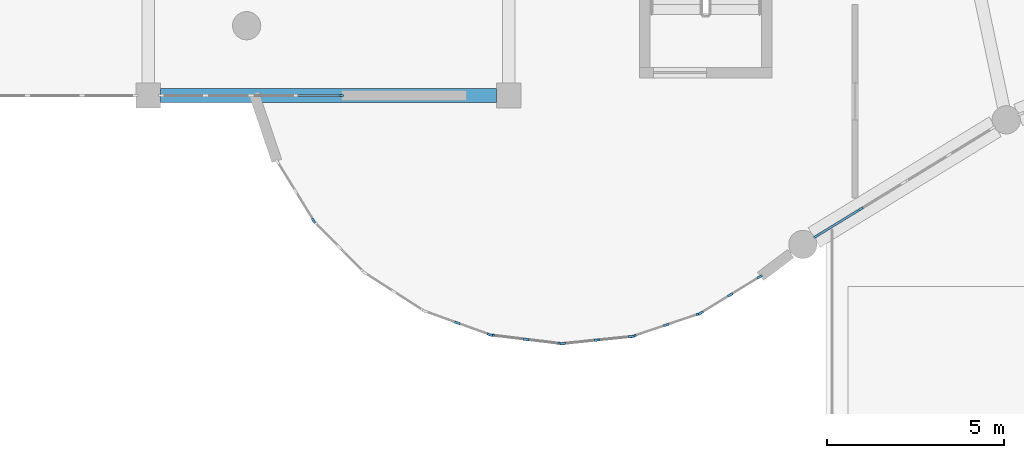
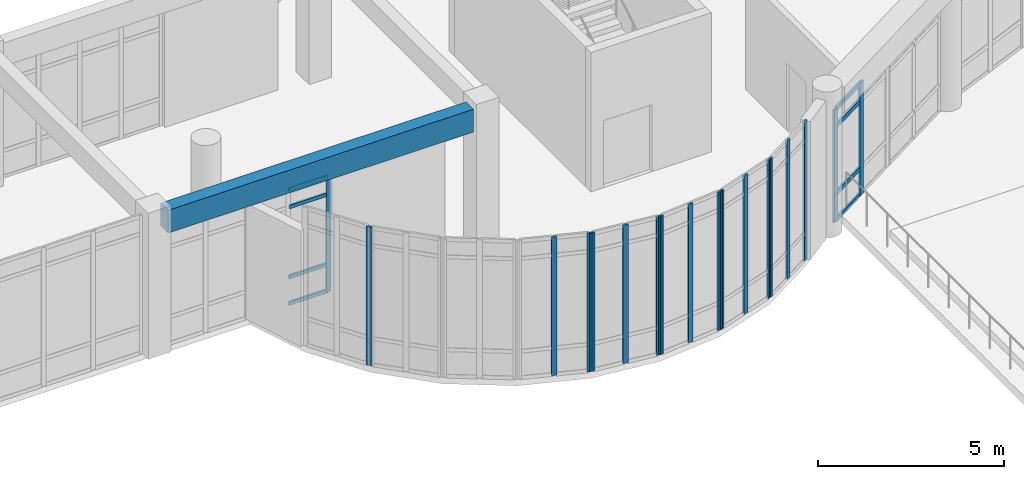
# One storey, part 8 of 65: 26 members, 1 beam, 8 elements without a shape of their own.
"""IFC4 building model written with IfcOpenShell, lengths in metres."""

from ifc_helpers import new_model, si_unit, direction, frame, origin, origin_2d, place, context, subcontext, project, spatial, rectangle, extrude, material, layer, layer_set, material_profile, profile_set, type_object, element, aggregate, save


model = new_model("IFC4")

# Units and contexts
model_context = context("Model", 3, precision=1e-05, world=origin(), true_north=direction((0.0, 1.0)))
body_context = subcontext(model_context, "Body", "Model", "MODEL_VIEW")
ifc_project = project(units=[si_unit("LENGTHUNIT", "METRE"), si_unit("AREAUNIT", "SQUARE_METRE"), si_unit("VOLUMEUNIT", "CUBIC_METRE"), si_unit("PLANEANGLEUNIT", "RADIAN"), si_unit("MASSUNIT", "GRAM", prefix="KILO")], contexts=[model_context])

# Site, building, storey
site_placement = place(None, origin())
site = spatial("IfcSite", under=ifc_project, at=site_placement, CompositionType="ELEMENT")
building_placement = place(site_placement, origin())
building = spatial("IfcBuilding", under=site, at=building_placement, Name="Miralva Faculty of Natural Sciences", CompositionType="ELEMENT")
storey_placement = place(building_placement, frame((0.0, 0.0, 10.199951171875)))
storey = spatial("IfcBuildingStorey", under=building, at=storey_placement, Name="L02", CompositionType="ELEMENT", Elevation=10.199951171875)

# Beam
ifc_material_1 = material(Name="Concrete C40/50", Category="concrete")
ifc_material_profile_1 = material_profile(ifc_material_1, rectangle(XDim=0.39990234375, YDim=0.75, at=origin_2d()), Name="RC 400x750")
ifc_profile_set_1 = profile_set([ifc_material_profile_1], Name="Concrete C40/50")
beam_type = type_object("IfcBeamType", Name="BM-B03", PredefinedType="BEAM", material=ifc_profile_set_1)
beam_placement = place(storey_placement, frame((46.550048828125, 18.0, 4.18505859375), z_axis=(1.0, 0.0, 0.0), x_axis=(0.0, 1.0, 0.0)))
element("IfcBeam", 1, at=beam_placement, inside=storey, type_object=beam_type, Name="Girder EW L02-14", PredefinedType="BEAM", context=body_context, shape_type="SweptSolid", body=[
    extrude(rectangle(XDim=0.39990234375, YDim=0.75, at=origin_2d()), origin(), (0.0, 0.0, 1.0), 9.5),
])

# Curtain wall, members
ifc_material_2 = material(Name="Laminated solar-control glass", Category="glass")
ifc_layer_1 = layer(ifc_material_2, 0.179931640625, Name="CW-ARC-L01")
ifc_layer_set_1 = layer_set([ifc_layer_1], Name="Laminated solar-control glass")
curtain_wall_type_1 = type_object("IfcCurtainWallType", Name="CW-ARC-L01", PredefinedType="USERDEFINED", material=ifc_layer_set_1)
curtain_wall_1_placement = place(storey_placement, origin())
curtain_wall_1 = element("IfcCurtainWall", 2, at=curtain_wall_1_placement, inside=storey, type_object=curtain_wall_type_1, Name="Curtain wall CW-02 L02-63", ObjectType="UNITISED CURTAIN WALL", PredefinedType="USERDEFINED")
ifc_material_3 = material(Name="Anodised aluminium", Category="aluminium")
ifc_material_profile_2 = material_profile(ifc_material_3, rectangle(XDim=0.06494140625, YDim=0.179931640625, at=origin_2d()), Name="MULLION 65x180")
ifc_profile_set_2 = profile_set([ifc_material_profile_2], Name="Anodised aluminium")
member_type_1 = type_object("IfcMemberType", Name="CW-M01", PredefinedType="MULLION", material=ifc_profile_set_2)
member_1_placement = place(storey_placement, frame((65.115234375, 14.02685546875, 0.0), z_axis=(0.0, 0.0, 1.0), x_axis=(-0.522497642249, 0.852640729642, 0.0)))
member_1 = element("IfcMember", 3, at=member_1_placement, type_object=member_type_1, Name="CW-02 mullion 1", PredefinedType="MULLION", context=body_context, shape_type="SweptSolid", body=[
    extrude(rectangle(XDim=0.06494140625, YDim=0.179931640625, at=origin_2d()), origin(), (0.0, 0.0, 1.0), 3.705078125),
])
member_2_placement = place(storey_placement, frame((66.3447265625, 14.780029296875, 0.0), z_axis=(0.0, 0.0, 1.0), x_axis=(-0.522497642249, 0.852640729642, 0.0)))
member_2 = element("IfcMember", 4, at=member_2_placement, type_object=member_type_1, Name="CW-02 mullion 2", PredefinedType="MULLION", context=body_context, shape_type="SweptSolid", body=[
    extrude(rectangle(XDim=0.06494140625, YDim=0.179931640625, at=origin_2d()), origin(), (0.0, 0.0, 1.0), 3.705078125),
])

ifc_layer_2 = layer(ifc_material_2, 0.179931640625, Name="CW-RND-L01")
ifc_layer_set_2 = layer_set([ifc_layer_2], Name="Laminated solar-control glass")
curtain_wall_type_2 = type_object("IfcCurtainWallType", Name="CW-RND-L01", PredefinedType="USERDEFINED", material=ifc_layer_set_2)
curtain_wall_2_placement = place(storey_placement, origin())
curtain_wall_2 = element("IfcCurtainWall", 5, at=curtain_wall_2_placement, inside=storey, type_object=curtain_wall_type_2, Name="Curtain wall CW-05 L02-93", ObjectType="UNITISED CURTAIN WALL", PredefinedType="USERDEFINED")
ifc_material_profile_3 = material_profile(ifc_material_3, rectangle(XDim=0.06494140625, YDim=0.159912109375, at=origin_2d()), Name="MULLION 65x160")
ifc_profile_set_3 = profile_set([ifc_material_profile_3], Name="Anodised aluminium")
member_type_2 = type_object("IfcMemberType", Name="CW-M02", PredefinedType="MULLION", material=ifc_profile_set_3)
member_3_placement = place(storey_placement, frame((61.837158203125, 11.846435546875, 0.0), z_axis=(0.0, 0.0, 1.0), x_axis=(-0.523550543884, 0.851994617353, 0.0)))
member_3 = element("IfcMember", 6, at=member_3_placement, type_object=member_type_2, Name="CW-05 mullion 1", PredefinedType="MULLION", context=body_context, shape_type="SweptSolid", body=[
    extrude(rectangle(XDim=0.06494140625, YDim=0.159912109375, at=origin_2d()), origin(), (0.0, 0.0, 1.0), 4.550048828125),
])
member_4_placement = place(storey_placement, frame((62.670166015625, 12.358154296875, 0.0), z_axis=(0.0, 0.0, 1.0), x_axis=(-0.523550543884, 0.851994617353, 0.0)))
member_4 = element("IfcMember", 7, at=member_4_placement, type_object=member_type_2, Name="CW-05 mullion 2", PredefinedType="MULLION", context=body_context, shape_type="SweptSolid", body=[
    extrude(rectangle(XDim=0.06494140625, YDim=0.159912109375, at=origin_2d()), origin(), (0.0, 0.0, 1.0), 4.550048828125),
])
member_5_placement = place(storey_placement, frame((63.503173828125, 12.8701171875, 0.0), z_axis=(0.0, 0.0, 1.0), x_axis=(-0.523550543884, 0.851994617353, 0.0)))
member_5 = element("IfcMember", 8, at=member_5_placement, type_object=member_type_2, Name="CW-05 mullion 3", PredefinedType="MULLION", context=body_context, shape_type="SweptSolid", body=[
    extrude(rectangle(XDim=0.06494140625, YDim=0.159912109375, at=origin_2d()), origin(), (0.0, 0.0, 1.0), 4.550048828125),
])
aggregate(curtain_wall_2, [member_3, member_4, member_5])

curtain_wall_3_placement = place(storey_placement, origin())
curtain_wall_3 = element("IfcCurtainWall", 9, at=curtain_wall_3_placement, inside=storey, type_object=curtain_wall_type_2, Name="Curtain wall CW-05 L02-94", ObjectType="UNITISED CURTAIN WALL", PredefinedType="USERDEFINED")
member_6_placement = place(storey_placement, frame((59.931396484375, 11.193115234375, 0.0), z_axis=(0.0, 0.0, 1.0), x_axis=(-0.320842126361, 0.947132688672, 0.0)))
member_6 = element("IfcMember", 10, at=member_6_placement, type_object=member_type_2, Name="CW-05 mullion 1", PredefinedType="MULLION", context=body_context, shape_type="SweptSolid", body=[
    extrude(rectangle(XDim=0.06494140625, YDim=0.159912109375, at=origin_2d()), origin(), (0.0, 0.0, 1.0), 4.550048828125),
])
member_7_placement = place(storey_placement, frame((60.857421875, 11.5068359375, 0.0), z_axis=(0.0, 0.0, 1.0), x_axis=(-0.320842126361, 0.947132688672, 0.0)))
member_7 = element("IfcMember", 11, at=member_7_placement, type_object=member_type_2, Name="CW-05 mullion 2", PredefinedType="MULLION", context=body_context, shape_type="SweptSolid", body=[
    extrude(rectangle(XDim=0.06494140625, YDim=0.159912109375, at=origin_2d()), origin(), (0.0, 0.0, 1.0), 4.550048828125),
])
member_8_placement = place(storey_placement, frame((61.783447265625, 11.820556640625, 0.0), z_axis=(0.0, 0.0, 1.0), x_axis=(-0.320842126361, 0.947132688672, 0.0)))
member_8 = element("IfcMember", 12, at=member_8_placement, type_object=member_type_2, Name="CW-05 mullion 3", PredefinedType="MULLION", context=body_context, shape_type="SweptSolid", body=[
    extrude(rectangle(XDim=0.06494140625, YDim=0.159912109375, at=origin_2d()), origin(), (0.0, 0.0, 1.0), 4.550048828125),
])
aggregate(curtain_wall_3, [member_6, member_7, member_8])

curtain_wall_4_placement = place(storey_placement, origin())
curtain_wall_4 = element("IfcCurtainWall", 13, at=curtain_wall_4_placement, inside=storey, type_object=curtain_wall_type_2, Name="Curtain wall CW-05 L02-95", ObjectType="UNITISED CURTAIN WALL", PredefinedType="USERDEFINED")
member_9_placement = place(storey_placement, frame((57.92822265625, 10.980224609375, 0.0), z_axis=(0.0, 0.0, 1.0), x_axis=(-0.102056494477, 0.994778604482, 0.0)))
member_9 = element("IfcMember", 14, at=member_9_placement, type_object=member_type_2, Name="CW-05 mullion 1", PredefinedType="MULLION", context=body_context, shape_type="SweptSolid", body=[
    extrude(rectangle(XDim=0.06494140625, YDim=0.159912109375, at=origin_2d()), origin(), (0.0, 0.0, 1.0), 4.550048828125),
])
member_10_placement = place(storey_placement, frame((58.900634765625, 11.080078125, 0.0), z_axis=(0.0, 0.0, 1.0), x_axis=(-0.102056494477, 0.994778604482, 0.0)))
member_10 = element("IfcMember", 15, at=member_10_placement, type_object=member_type_2, Name="CW-05 mullion 2", PredefinedType="MULLION", context=body_context, shape_type="SweptSolid", body=[
    extrude(rectangle(XDim=0.06494140625, YDim=0.159912109375, at=origin_2d()), origin(), (0.0, 0.0, 1.0), 4.550048828125),
])
member_11_placement = place(storey_placement, frame((59.873291015625, 11.179931640625, 0.0), z_axis=(0.0, 0.0, 1.0), x_axis=(-0.102056494477, 0.994778604482, 0.0)))
member_11 = element("IfcMember", 16, at=member_11_placement, type_object=member_type_2, Name="CW-05 mullion 3", PredefinedType="MULLION", context=body_context, shape_type="SweptSolid", body=[
    extrude(rectangle(XDim=0.06494140625, YDim=0.159912109375, at=origin_2d()), origin(), (0.0, 0.0, 1.0), 4.550048828125),
])
aggregate(curtain_wall_4, [member_9, member_10, member_11])

curtain_wall_5_placement = place(storey_placement, origin())
curtain_wall_5 = element("IfcCurtainWall", 17, at=curtain_wall_5_placement, inside=storey, type_object=curtain_wall_type_2, Name="Curtain wall CW-05 L02-96", ObjectType="UNITISED CURTAIN WALL", PredefinedType="USERDEFINED")
member_12_placement = place(storey_placement, frame((55.927734375, 11.21875, 0.0), z_axis=(0.0, 0.0, 1.0), x_axis=(0.121859649701, 0.99254734183, 0.0)))
member_12 = element("IfcMember", 18, at=member_12_placement, type_object=member_type_2, Name="CW-05 mullion 1", PredefinedType="MULLION", context=body_context, shape_type="SweptSolid", body=[
    extrude(rectangle(XDim=0.06494140625, YDim=0.159912109375, at=origin_2d()), origin(), (0.0, 0.0, 1.0), 4.550048828125),
])
member_13_placement = place(storey_placement, frame((56.898193359375, 11.099609375, 0.0), z_axis=(0.0, 0.0, 1.0), x_axis=(0.121859649701, 0.99254734183, 0.0)))
member_13 = element("IfcMember", 19, at=member_13_placement, type_object=member_type_2, Name="CW-05 mullion 2", PredefinedType="MULLION", context=body_context, shape_type="SweptSolid", body=[
    extrude(rectangle(XDim=0.06494140625, YDim=0.159912109375, at=origin_2d()), origin(), (0.0, 0.0, 1.0), 4.550048828125),
])
member_14_placement = place(storey_placement, frame((57.86865234375, 10.98046875, 0.0), z_axis=(0.0, 0.0, 1.0), x_axis=(0.121859649701, 0.99254734183, 0.0)))
member_14 = element("IfcMember", 20, at=member_14_placement, type_object=member_type_2, Name="CW-05 mullion 3", PredefinedType="MULLION", context=body_context, shape_type="SweptSolid", body=[
    extrude(rectangle(XDim=0.06494140625, YDim=0.159912109375, at=origin_2d()), origin(), (0.0, 0.0, 1.0), 4.550048828125),
])
aggregate(curtain_wall_5, [member_12, member_13, member_14])

curtain_wall_6_placement = place(storey_placement, origin())
curtain_wall_6 = element("IfcCurtainWall", 21, at=curtain_wall_6_placement, inside=storey, type_object=curtain_wall_type_2, Name="Curtain wall CW-05 L02-97", ObjectType="UNITISED CURTAIN WALL", PredefinedType="USERDEFINED")
member_15_placement = place(storey_placement, frame((54.9501953125, 11.56396484375, 0.0), z_axis=(0.0, 0.0, 1.0), x_axis=(0.339695547876, 0.940535451088, 0.0)))
member_15 = element("IfcMember", 22, at=member_15_placement, type_object=member_type_2, Name="CW-05 mullion 2", PredefinedType="MULLION", context=body_context, shape_type="SweptSolid", body=[
    extrude(rectangle(XDim=0.06494140625, YDim=0.159912109375, at=origin_2d()), origin(), (0.0, 0.0, 1.0), 4.550048828125),
])
member_16_placement = place(storey_placement, frame((55.86962890625, 11.23193359375, 0.0), z_axis=(0.0, 0.0, 1.0), x_axis=(0.339695547876, 0.940535451088, 0.0)))
member_16 = element("IfcMember", 23, at=member_16_placement, type_object=member_type_2, Name="CW-05 mullion 3", PredefinedType="MULLION", context=body_context, shape_type="SweptSolid", body=[
    extrude(rectangle(XDim=0.06494140625, YDim=0.159912109375, at=origin_2d()), origin(), (0.0, 0.0, 1.0), 4.550048828125),
])
aggregate(curtain_wall_6, [member_15, member_16])

# Curtain wall, member
curtain_wall_7_placement = place(storey_placement, origin())
curtain_wall_7 = element("IfcCurtainWall", 24, at=curtain_wall_7_placement, inside=storey, type_object=curtain_wall_type_2, Name="Curtain wall CW-05 L02-100", ObjectType="UNITISED CURTAIN WALL", PredefinedType="USERDEFINED")
member_17_placement = place(storey_placement, frame((50.879150390625, 14.458984375, 0.0), z_axis=(0.0, 0.0, 1.0), x_axis=(0.851994617353, 0.523550543884, 0.0)))
member_17 = element("IfcMember", 25, at=member_17_placement, type_object=member_type_2, Name="CW-05 mullion 3", PredefinedType="MULLION", context=body_context, shape_type="SweptSolid", body=[
    extrude(rectangle(XDim=0.06494140625, YDim=0.159912109375, at=origin_2d()), origin(), (0.0, 0.0, 1.0), 4.550048828125),
])
aggregate(curtain_wall_7, [member_17])

ifc_layer_3 = layer(ifc_material_2, 0.179931640625, Name="CW-COM-L01")
ifc_layer_set_3 = layer_set([ifc_layer_3], Name="Laminated solar-control glass")
curtain_wall_type_3 = type_object("IfcCurtainWallType", Name="CW-COM-L01", PredefinedType="USERDEFINED", material=ifc_layer_set_3)
curtain_wall_8_placement = place(storey_placement, origin())
curtain_wall_8 = element("IfcCurtainWall", 26, at=curtain_wall_8_placement, inside=storey, type_object=curtain_wall_type_3, Name="Curtain wall CW-10 L02-295", ObjectType="UNITISED CURTAIN WALL", PredefinedType="USERDEFINED")
ifc_material_profile_4 = material_profile(ifc_material_3, rectangle(XDim=0.06005859375, YDim=0.139892578125, at=origin_2d()), Name="MULLION 60x140")
ifc_profile_set_4 = profile_set([ifc_material_profile_4], Name="Anodised aluminium")
member_type_3 = type_object("IfcMemberType", Name="CW-M03", PredefinedType="MULLION", material=ifc_profile_set_4)
member_18_placement = place(storey_placement, frame((51.64990234375, 18.0, 0.0), z_axis=(0.0, 0.0, 1.0), x_axis=(0.0, 1.0, 0.0)))
member_18 = element("IfcMember", 27, at=member_18_placement, type_object=member_type_3, Name="CW-10 mullion 5", PredefinedType="MULLION", context=body_context, shape_type="SweptSolid", body=[
    extrude(rectangle(XDim=0.06005859375, YDim=0.139892578125, at=origin_2d()), origin(), (0.0, 0.0, 1.0), 3.804931640625),
])

# Member
ifc_material_profile_5 = material_profile(ifc_material_3, rectangle(XDim=0.06494140625, YDim=0.139892578125, at=origin_2d()), Name="TRANSOM 65x140")
ifc_profile_set_5 = profile_set([ifc_material_profile_5], Name="Anodised aluminium")
member_type_4 = type_object("IfcMemberType", Name="CW-T01", PredefinedType="USERDEFINED", material=ifc_profile_set_5)
member_19_placement = place(storey_placement, frame((65.14306640625, 14.043701171875, 0.032470703125), z_axis=(0.85258850929, 0.522582848768, 0.0), x_axis=(-0.522582848768, 0.85258850929, 0.0)))
member_19 = element("IfcMember", 28, at=member_19_placement, type_object=member_type_4, Name="CW-02 transom 1.1", ObjectType="TRANSOM", PredefinedType="USERDEFINED", context=body_context, shape_type="SweptSolid", body=[
    extrude(rectangle(XDim=0.06494140625, YDim=0.139892578125, at=origin_2d()), origin(), (0.0, 0.0, 1.0), 1.376708984375),
])

member_20_placement = place(storey_placement, frame((65.14306640625, 14.043701171875, 0.900146484375), z_axis=(0.85258850929, 0.522582848768, 0.0), x_axis=(-0.522582848768, 0.85258850929, 0.0)))
member_20 = element("IfcMember", 29, at=member_20_placement, type_object=member_type_4, Name="CW-02 transom 1.2", ObjectType="TRANSOM", PredefinedType="USERDEFINED", context=body_context, shape_type="SweptSolid", body=[
    extrude(rectangle(XDim=0.06494140625, YDim=0.139892578125, at=origin_2d()), origin(), (0.0, 0.0, 1.0), 1.376708984375),
])

member_21_placement = place(storey_placement, frame((65.14306640625, 14.043701171875, 3.10498046875), z_axis=(0.85258850929, 0.522582848768, 0.0), x_axis=(-0.522582848768, 0.85258850929, 0.0)))
member_21 = element("IfcMember", 30, at=member_21_placement, type_object=member_type_4, Name="CW-02 transom 1.3", ObjectType="TRANSOM", PredefinedType="USERDEFINED", context=body_context, shape_type="SweptSolid", body=[
    extrude(rectangle(XDim=0.06494140625, YDim=0.139892578125, at=origin_2d()), origin(), (0.0, 0.0, 1.0), 1.376708984375),
])

member_22_placement = place(storey_placement, frame((65.14306640625, 14.043701171875, 3.672607421875), z_axis=(0.85258850929, 0.522582848768, 0.0), x_axis=(-0.522582848768, 0.85258850929, 0.0)))
member_22 = element("IfcMember", 31, at=member_22_placement, type_object=member_type_4, Name="CW-02 transom 1.4", ObjectType="TRANSOM", PredefinedType="USERDEFINED", context=body_context, shape_type="SweptSolid", body=[
    extrude(rectangle(XDim=0.06494140625, YDim=0.139892578125, at=origin_2d()), origin(), (0.0, 0.0, 1.0), 1.376708984375),
])

aggregate(curtain_wall_1, [member_1, member_2, member_19, member_20, member_21, member_22])

ifc_material_profile_6 = material_profile(ifc_material_3, rectangle(XDim=0.06005859375, YDim=0.1201171875, at=origin_2d()), Name="TRANSOM 60x120")
ifc_profile_set_6 = profile_set([ifc_material_profile_6], Name="Anodised aluminium")
member_type_5 = type_object("IfcMemberType", Name="CW-T02", PredefinedType="USERDEFINED", material=ifc_profile_set_6)
member_23_placement = place(storey_placement, frame((50.423828125, 18.0, 0.030029296875), z_axis=(1.0, 0.0, 0.0), x_axis=(0.0, 1.0, 0.0)))
member_23 = element("IfcMember", 32, at=member_23_placement, type_object=member_type_5, Name="CW-10 transom 4.1", ObjectType="TRANSOM", PredefinedType="USERDEFINED", context=body_context, shape_type="SweptSolid", body=[
    extrude(rectangle(XDim=0.06005859375, YDim=0.1201171875, at=origin_2d()), origin(), (0.0, 0.0, 1.0), 1.1962890625),
])

member_24_placement = place(storey_placement, frame((50.423828125, 18.0, 0.900146484375), z_axis=(1.0, 0.0, 0.0), x_axis=(0.0, 1.0, 0.0)))
member_24 = element("IfcMember", 33, at=member_24_placement, type_object=member_type_5, Name="CW-10 transom 4.2", ObjectType="TRANSOM", PredefinedType="USERDEFINED", context=body_context, shape_type="SweptSolid", body=[
    extrude(rectangle(XDim=0.06005859375, YDim=0.1201171875, at=origin_2d()), origin(), (0.0, 0.0, 1.0), 1.1962890625),
])

member_25_placement = place(storey_placement, frame((50.423828125, 18.0, 3.205078125), z_axis=(1.0, 0.0, 0.0), x_axis=(0.0, 1.0, 0.0)))
member_25 = element("IfcMember", 34, at=member_25_placement, type_object=member_type_5, Name="CW-10 transom 4.3", ObjectType="TRANSOM", PredefinedType="USERDEFINED", context=body_context, shape_type="SweptSolid", body=[
    extrude(rectangle(XDim=0.06005859375, YDim=0.1201171875, at=origin_2d()), origin(), (0.0, 0.0, 1.0), 1.1962890625),
])

member_26_placement = place(storey_placement, frame((50.423828125, 18.0, 3.775146484375), z_axis=(1.0, 0.0, 0.0), x_axis=(0.0, 1.0, 0.0)))
member_26 = element("IfcMember", 35, at=member_26_placement, type_object=member_type_5, Name="CW-10 transom 4.4", ObjectType="TRANSOM", PredefinedType="USERDEFINED", context=body_context, shape_type="SweptSolid", body=[
    extrude(rectangle(XDim=0.06005859375, YDim=0.1201171875, at=origin_2d()), origin(), (0.0, 0.0, 1.0), 1.1962890625),
])

aggregate(curtain_wall_8, [member_18, member_23, member_24, member_25, member_26])

save(model, "model.ifc")
